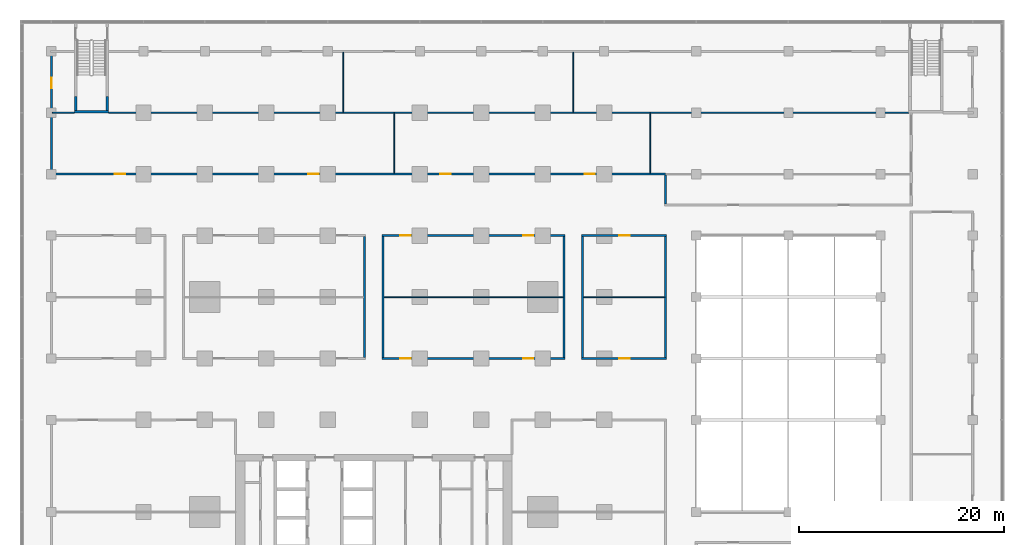
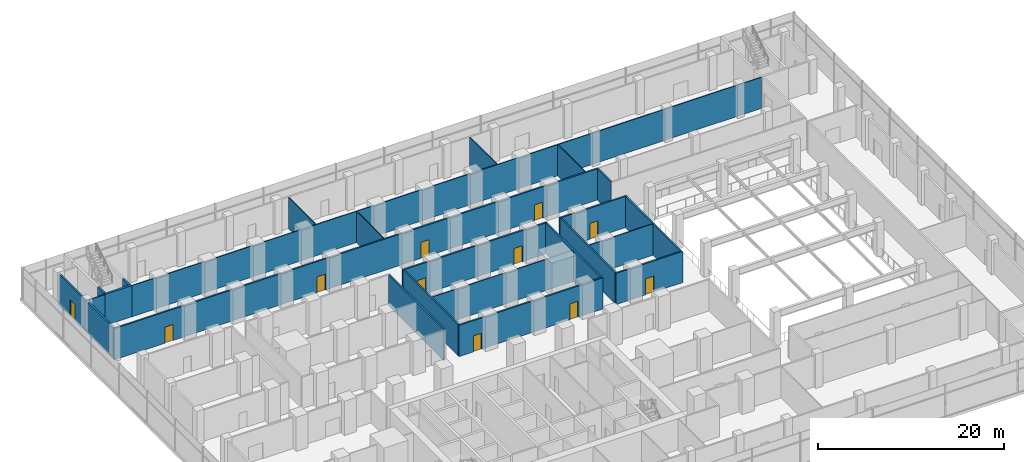
# One storey, part 16 of 22: 23 walls, 11 doors, 11 openings.
"""IFC4 building model written with IfcOpenShell, lengths in metres."""

from ifc_helpers import new_model, si_unit, direction, frame, frame_2d, origin, place, context, subcontext, project, spatial, rectangle, extrude, material, layer, layer_set, type_object, element, fill, save


model = new_model("IFC4")

# Units and contexts
model_context = context("Model", 3, precision=1e-05, world=origin(), true_north=direction((0.0, 1.0)))
body_context = subcontext(model_context, "Body", "Model", "MODEL_VIEW")
ifc_project = project(units=[si_unit("LENGTHUNIT", "METRE"), si_unit("AREAUNIT", "SQUARE_METRE"), si_unit("VOLUMEUNIT", "CUBIC_METRE"), si_unit("PLANEANGLEUNIT", "RADIAN"), si_unit("MASSUNIT", "GRAM", prefix="KILO")], contexts=[model_context])

# Site, building, storey
site_placement = place(None, origin())
site = spatial("IfcSite", under=ifc_project, at=site_placement, CompositionType="ELEMENT")
building_placement = place(site_placement, origin())
building = spatial("IfcBuilding", under=site, at=building_placement, Name="Finial Court Residences", CompositionType="ELEMENT")
storey_placement = place(building_placement, frame((0.0, 0.0, 28.0)))
storey = spatial("IfcBuildingStorey", under=building, at=storey_placement, Name="L05", CompositionType="ELEMENT", Elevation=28.0)

# Wall, openings, doors
ifc_material_1 = material(Name="Gypsum board")
ifc_layer_1 = layer(ifc_material_1, 0.02490234375)
ifc_material_2 = material(Name="Acoustic mineral wool in double frame")
ifc_layer_2 = layer(ifc_material_2, 0.14990234375)
ifc_layer_3 = layer(ifc_material_1, 0.02490234375)
ifc_layer_set_1 = layer_set([ifc_layer_1, ifc_layer_2, ifc_layer_3], Name="Corridor wall 200, 1 hour")
wall_type_1 = type_object("IfcWallType", Name="Corridor wall 200, 1 hour", PredefinedType="PARTITIONING", material=ifc_layer_set_1)
wall_1_placement = place(storey_placement, frame((0.800048828125, 1.5, 0.0), z_axis=(0.0, 0.0, 1.0), x_axis=(1.0, 0.0, 0.0)))
wall_1 = element("IfcWall", 1, at=wall_1_placement, inside=storey, type_object=wall_type_1, Name="Partition L05-019", PredefinedType="PARTITIONING", context=body_context, shape_type="SweptSolid", body=[
    extrude(rectangle(XDim=17.89990234375, YDim=0.199951171875, at=frame_2d((8.949951171875, 0.0))), origin(), (0.0, 0.0, 1.0), 4.10009765625),
])
opening_1_placement = place(wall_1_placement, frame((1.800048828125, 0.0, 0.0)))
opening_1 = element("IfcOpeningElement", 2, at=opening_1_placement, cuts=wall_1, Name="Opening L05-D019", PredefinedType="OPENING", context=body_context, shape_type="SweptSolid", body=[
    extrude(rectangle(XDim=1.0, YDim=2.10009765625, at=frame_2d((0.5, 1.050048828125))), frame((0.0, 0.10986328125, 0.0), z_axis=(0.0, -1.0, 0.0), x_axis=(1.0, 0.0, 0.0)), (0.0, 0.0, 1.0), 0.219970703125),
])
opening_2_placement = place(wall_1_placement, frame((13.800048828125, 0.0, 0.0)))
opening_2 = element("IfcOpeningElement", 3, at=opening_2_placement, cuts=wall_1, Name="Opening L05-D020", PredefinedType="OPENING", context=body_context, shape_type="SweptSolid", body=[
    extrude(rectangle(XDim=1.0, YDim=2.10009765625, at=frame_2d((0.5, 1.050048828125))), frame((0.0, 0.10986328125, 0.0), z_axis=(0.0, -1.0, 0.0), x_axis=(1.0, 0.0, 0.0)), (0.0, 0.0, 1.0), 0.219970703125),
])
ifc_material_3 = material(Name="Timber door leaf in hollow metal frame", Category="wood")
door_type = type_object("IfcDoorType", Name="Fire door set 1000 x 2100, 30 minutes", OperationType="SINGLE_SWING_LEFT", PredefinedType="DOOR", material=ifc_material_3)
door_1_placement = place(opening_1_placement, origin())
door_1 = element("IfcDoor", 4, at=door_1_placement, inside=storey, type_object=door_type, Name="Door L05-D019", OperationType="SINGLE_SWING_RIGHT", OverallHeight=2.10009765625, OverallWidth=1.0, PredefinedType="DOOR", context=body_context, shape_type="SweptSolid", body=[
    extrude(rectangle(XDim=1.0, YDim=2.10009765625, at=frame_2d((0.5, 1.050048828125))), frame((0.0, 0.02490234375, 0.0), z_axis=(0.0, -1.0, 0.0), x_axis=(1.0, 0.0, 0.0)), (0.0, 0.0, 1.0), 0.050048828125),
])
fill(opening_1, door_1)
door_2_placement = place(opening_2_placement, origin())
door_2 = element("IfcDoor", 5, at=door_2_placement, inside=storey, type_object=door_type, Name="Door L05-D020", OperationType="SINGLE_SWING_LEFT", OverallHeight=2.10009765625, OverallWidth=1.0, PredefinedType="DOOR", context=body_context, shape_type="SweptSolid", body=[
    extrude(rectangle(XDim=1.0, YDim=2.10009765625, at=frame_2d((0.5, 1.050048828125))), frame((0.0, 0.02490234375, 0.0), z_axis=(0.0, -1.0, 0.0), x_axis=(1.0, 0.0, 0.0)), (0.0, 0.0, 1.0), 0.050048828125),
])
fill(opening_2, door_2)

# Wall, opening, door
wall_2_placement = place(storey_placement, frame((20.300048828125, 1.5, 0.0), z_axis=(0.0, 0.0, 1.0), x_axis=(1.0, 0.0, 0.0)))
wall_2 = element("IfcWall", 6, at=wall_2_placement, inside=storey, type_object=wall_type_1, Name="Partition L05-020", PredefinedType="PARTITIONING", context=body_context, shape_type="SweptSolid", body=[
    extrude(rectangle(XDim=8.300048828125, YDim=0.199951171875, at=frame_2d((4.14990234375, 0.0))), origin(), (0.0, 0.0, 1.0), 4.10009765625),
])
opening_3_placement = place(wall_2_placement, frame((3.699951171875, 0.0, 0.0)))
opening_3 = element("IfcOpeningElement", 7, at=opening_3_placement, cuts=wall_2, Name="Opening L05-D021", PredefinedType="OPENING", context=body_context, shape_type="SweptSolid", body=[
    extrude(rectangle(XDim=1.0, YDim=2.10009765625, at=frame_2d((0.5, 1.050048828125))), frame((0.0, 0.10986328125, 0.0), z_axis=(0.0, -1.0, 0.0), x_axis=(1.0, 0.0, 0.0)), (0.0, 0.0, 1.0), 0.219970703125),
])
door_3_placement = place(opening_3_placement, origin())
door_3 = element("IfcDoor", 8, at=door_3_placement, inside=storey, type_object=door_type, Name="Door L05-D021", OperationType="SINGLE_SWING_RIGHT", OverallHeight=2.10009765625, OverallWidth=1.0, PredefinedType="DOOR", context=body_context, shape_type="SweptSolid", body=[
    extrude(rectangle(XDim=1.0, YDim=2.10009765625, at=frame_2d((0.5, 1.050048828125))), frame((0.0, 0.02490234375, 0.0), z_axis=(0.0, -1.0, 0.0), x_axis=(1.0, 0.0, 0.0)), (0.0, 0.0, 1.0), 0.050048828125),
])
fill(opening_3, door_3)

# Wall, openings, doors
wall_3_placement = place(storey_placement, frame((0.800048828125, 13.5, 0.0), z_axis=(0.0, 0.0, 1.0), x_axis=(1.0, 0.0, 0.0)))
wall_3 = element("IfcWall", 9, at=wall_3_placement, inside=storey, type_object=wall_type_1, Name="Partition L05-027", PredefinedType="PARTITIONING", context=body_context, shape_type="SweptSolid", body=[
    extrude(rectangle(XDim=17.89990234375, YDim=0.199951171875, at=frame_2d((8.949951171875, 0.0))), origin(), (0.0, 0.0, 1.0), 4.10009765625),
])
opening_4_placement = place(wall_3_placement, frame((1.800048828125, 0.0, 0.0)))
opening_4 = element("IfcOpeningElement", 10, at=opening_4_placement, cuts=wall_3, Name="Opening L05-D025", PredefinedType="OPENING", context=body_context, shape_type="SweptSolid", body=[
    extrude(rectangle(XDim=1.0, YDim=2.10009765625, at=frame_2d((0.5, 1.050048828125))), frame((0.0, 0.10986328125, 0.0), z_axis=(0.0, -1.0, 0.0), x_axis=(1.0, 0.0, 0.0)), (0.0, 0.0, 1.0), 0.219970703125),
])
opening_5_placement = place(wall_3_placement, frame((13.800048828125, 0.0, 0.0)))
opening_5 = element("IfcOpeningElement", 11, at=opening_5_placement, cuts=wall_3, Name="Opening L05-D026", PredefinedType="OPENING", context=body_context, shape_type="SweptSolid", body=[
    extrude(rectangle(XDim=1.0, YDim=2.10009765625, at=frame_2d((0.5, 1.050048828125))), frame((0.0, 0.10986328125, 0.0), z_axis=(0.0, -1.0, 0.0), x_axis=(1.0, 0.0, 0.0)), (0.0, 0.0, 1.0), 0.219970703125),
])
door_4_placement = place(opening_4_placement, origin())
door_4 = element("IfcDoor", 12, at=door_4_placement, inside=storey, type_object=door_type, Name="Door L05-D025", OperationType="SINGLE_SWING_LEFT", OverallHeight=2.10009765625, OverallWidth=1.0, PredefinedType="DOOR", context=body_context, shape_type="SweptSolid", body=[
    extrude(rectangle(XDim=1.0, YDim=2.10009765625, at=frame_2d((0.5, 1.050048828125))), frame((0.0, 0.02490234375, 0.0), z_axis=(0.0, -1.0, 0.0), x_axis=(1.0, 0.0, 0.0)), (0.0, 0.0, 1.0), 0.050048828125),
])
fill(opening_4, door_4)
door_5_placement = place(opening_5_placement, origin())
door_5 = element("IfcDoor", 13, at=door_5_placement, inside=storey, type_object=door_type, Name="Door L05-D026", OperationType="SINGLE_SWING_RIGHT", OverallHeight=2.10009765625, OverallWidth=1.0, PredefinedType="DOOR", context=body_context, shape_type="SweptSolid", body=[
    extrude(rectangle(XDim=1.0, YDim=2.10009765625, at=frame_2d((0.5, 1.050048828125))), frame((0.0, 0.02490234375, 0.0), z_axis=(0.0, -1.0, 0.0), x_axis=(1.0, 0.0, 0.0)), (0.0, 0.0, 1.0), 0.050048828125),
])
fill(opening_5, door_5)

# Wall, opening, door
wall_4_placement = place(storey_placement, frame((20.300048828125, 13.5, 0.0), z_axis=(0.0, 0.0, 1.0), x_axis=(1.0, 0.0, 0.0)))
wall_4 = element("IfcWall", 14, at=wall_4_placement, inside=storey, type_object=wall_type_1, Name="Partition L05-028", PredefinedType="PARTITIONING", context=body_context, shape_type="SweptSolid", body=[
    extrude(rectangle(XDim=8.300048828125, YDim=0.199951171875, at=frame_2d((4.14990234375, 0.0))), origin(), (0.0, 0.0, 1.0), 4.10009765625),
])
opening_6_placement = place(wall_4_placement, frame((3.699951171875, 0.0, 0.0)))
opening_6 = element("IfcOpeningElement", 15, at=opening_6_placement, cuts=wall_4, Name="Opening L05-D027", PredefinedType="OPENING", context=body_context, shape_type="SweptSolid", body=[
    extrude(rectangle(XDim=1.0, YDim=2.10009765625, at=frame_2d((0.5, 1.050048828125))), frame((0.0, 0.10986328125, 0.0), z_axis=(0.0, -1.0, 0.0), x_axis=(1.0, 0.0, 0.0)), (0.0, 0.0, 1.0), 0.219970703125),
])
door_6_placement = place(opening_6_placement, origin())
door_6 = element("IfcDoor", 16, at=door_6_placement, inside=storey, type_object=door_type, Name="Door L05-D027", OperationType="SINGLE_SWING_LEFT", OverallHeight=2.10009765625, OverallWidth=1.0, PredefinedType="DOOR", context=body_context, shape_type="SweptSolid", body=[
    extrude(rectangle(XDim=1.0, YDim=2.10009765625, at=frame_2d((0.5, 1.050048828125))), frame((0.0, 0.02490234375, 0.0), z_axis=(0.0, -1.0, 0.0), x_axis=(1.0, 0.0, 0.0)), (0.0, 0.0, 1.0), 0.050048828125),
])
fill(opening_6, door_6)

# Wall, openings, doors
wall_5_placement = place(storey_placement, frame((-31.60009765625, 19.5, 0.0), z_axis=(0.0, 0.0, 1.0), x_axis=(1.0, 0.0, 0.0)))
wall_5 = element("IfcWall", 17, at=wall_5_placement, inside=storey, type_object=wall_type_1, Name="Partition L05-031", PredefinedType="PARTITIONING", context=body_context, shape_type="SweptSolid", body=[
    extrude(rectangle(XDim=60.10009765625, YDim=0.199951171875, at=frame_2d((30.050048828125, 0.0))), origin(), (0.0, 0.0, 1.0), 4.10009765625),
])
opening_7_placement = place(wall_5_placement, frame((6.300048828125, 0.0, 0.0)))
opening_7 = element("IfcOpeningElement", 18, at=opening_7_placement, cuts=wall_5, Name="Opening L05-D031", PredefinedType="OPENING", context=body_context, shape_type="SweptSolid", body=[
    extrude(rectangle(XDim=1.0, YDim=2.10009765625, at=frame_2d((0.5, 1.050048828125))), frame((0.0, 0.10986328125, 0.0), z_axis=(0.0, -1.0, 0.0), x_axis=(1.0, 0.0, 0.0)), (0.0, 0.0, 1.0), 0.219970703125),
])
opening_8_placement = place(wall_5_placement, frame((25.199951171875, 0.0, 0.0)))
opening_8 = element("IfcOpeningElement", 19, at=opening_8_placement, cuts=wall_5, Name="Opening L05-D032", PredefinedType="OPENING", context=body_context, shape_type="SweptSolid", body=[
    extrude(rectangle(XDim=1.0, YDim=2.10009765625, at=frame_2d((0.5, 1.050048828125))), frame((0.0, 0.10986328125, 0.0), z_axis=(0.0, -1.0, 0.0), x_axis=(1.0, 0.0, 0.0)), (0.0, 0.0, 1.0), 0.219970703125),
])
opening_9_placement = place(wall_5_placement, frame((38.10009765625, 0.0, 0.0)))
opening_9 = element("IfcOpeningElement", 20, at=opening_9_placement, cuts=wall_5, Name="Opening L05-D033", PredefinedType="OPENING", context=body_context, shape_type="SweptSolid", body=[
    extrude(rectangle(XDim=1.0, YDim=2.10009765625, at=frame_2d((0.5, 1.050048828125))), frame((0.0, 0.10986328125, 0.0), z_axis=(0.0, -1.0, 0.0), x_axis=(1.0, 0.0, 0.0)), (0.0, 0.0, 1.0), 0.219970703125),
])
opening_10_placement = place(wall_5_placement, frame((52.199951171875, 0.0, 0.0)))
opening_10 = element("IfcOpeningElement", 21, at=opening_10_placement, cuts=wall_5, Name="Opening L05-D034", PredefinedType="OPENING", context=body_context, shape_type="SweptSolid", body=[
    extrude(rectangle(XDim=1.0, YDim=2.10009765625, at=frame_2d((0.5, 1.050048828125))), frame((0.0, 0.10986328125, 0.0), z_axis=(0.0, -1.0, 0.0), x_axis=(1.0, 0.0, 0.0)), (0.0, 0.0, 1.0), 0.219970703125),
])
door_7_placement = place(opening_7_placement, origin())
door_7 = element("IfcDoor", 22, at=door_7_placement, inside=storey, type_object=door_type, Name="Door L05-D031", OperationType="SINGLE_SWING_RIGHT", OverallHeight=2.10009765625, OverallWidth=1.0, PredefinedType="DOOR", context=body_context, shape_type="SweptSolid", body=[
    extrude(rectangle(XDim=1.0, YDim=2.10009765625, at=frame_2d((0.5, 1.050048828125))), frame((0.0, 0.02490234375, 0.0), z_axis=(0.0, -1.0, 0.0), x_axis=(1.0, 0.0, 0.0)), (0.0, 0.0, 1.0), 0.050048828125),
])
fill(opening_7, door_7)
door_8_placement = place(opening_8_placement, origin())
door_8 = element("IfcDoor", 23, at=door_8_placement, inside=storey, type_object=door_type, Name="Door L05-D032", OperationType="SINGLE_SWING_RIGHT", OverallHeight=2.10009765625, OverallWidth=1.0, PredefinedType="DOOR", context=body_context, shape_type="SweptSolid", body=[
    extrude(rectangle(XDim=1.0, YDim=2.10009765625, at=frame_2d((0.5, 1.050048828125))), frame((0.0, 0.02490234375, 0.0), z_axis=(0.0, -1.0, 0.0), x_axis=(1.0, 0.0, 0.0)), (0.0, 0.0, 1.0), 0.050048828125),
])
fill(opening_8, door_8)
door_9_placement = place(opening_9_placement, origin())
door_9 = element("IfcDoor", 24, at=door_9_placement, inside=storey, type_object=door_type, Name="Door L05-D033", OperationType="SINGLE_SWING_LEFT", OverallHeight=2.10009765625, OverallWidth=1.0, PredefinedType="DOOR", context=body_context, shape_type="SweptSolid", body=[
    extrude(rectangle(XDim=1.0, YDim=2.10009765625, at=frame_2d((0.5, 1.050048828125))), frame((0.0, 0.02490234375, 0.0), z_axis=(0.0, -1.0, 0.0), x_axis=(1.0, 0.0, 0.0)), (0.0, 0.0, 1.0), 0.050048828125),
])
fill(opening_9, door_9)
door_10_placement = place(opening_10_placement, origin())
door_10 = element("IfcDoor", 25, at=door_10_placement, inside=storey, type_object=door_type, Name="Door L05-D034", OperationType="SINGLE_SWING_LEFT", OverallHeight=2.10009765625, OverallWidth=1.0, PredefinedType="DOOR", context=body_context, shape_type="SweptSolid", body=[
    extrude(rectangle(XDim=1.0, YDim=2.10009765625, at=frame_2d((0.5, 1.050048828125))), frame((0.0, 0.02490234375, 0.0), z_axis=(0.0, -1.0, 0.0), x_axis=(1.0, 0.0, 0.0)), (0.0, 0.0, 1.0), 0.050048828125),
])
fill(opening_10, door_10)

# Wall, opening, door
wall_6_placement = place(storey_placement, frame((-31.5, 19.60009765625, 0.0), z_axis=(0.0, 0.0, 1.0), x_axis=(0.0, 1.0, 0.0)))
wall_6 = element("IfcWall", 26, at=wall_6_placement, inside=storey, type_object=wall_type_1, Name="Partition L05-042", PredefinedType="PARTITIONING", context=body_context, shape_type="SweptSolid", body=[
    extrude(rectangle(XDim=11.7998046875, YDim=0.199951171875, at=frame_2d((5.89990234375, 0.0))), origin(), (0.0, 0.0, 1.0), 4.10009765625),
])
opening_11_placement = place(wall_6_placement, frame((8.300048828125, 0.0, 0.0)))
opening_11 = element("IfcOpeningElement", 27, at=opening_11_placement, cuts=wall_6, Name="Opening L05-D041", PredefinedType="OPENING", context=body_context, shape_type="SweptSolid", body=[
    extrude(rectangle(XDim=1.0, YDim=2.10009765625, at=frame_2d((0.5, 1.050048828125))), frame((0.0, 0.10986328125, 0.0), z_axis=(0.0, -1.0, 0.0), x_axis=(1.0, 0.0, 0.0)), (0.0, 0.0, 1.0), 0.219970703125),
])
door_11_placement = place(opening_11_placement, origin())
door_11 = element("IfcDoor", 28, at=door_11_placement, inside=storey, type_object=door_type, Name="Door L05-D041", OperationType="SINGLE_SWING_RIGHT", OverallHeight=2.10009765625, OverallWidth=1.0, PredefinedType="DOOR", context=body_context, shape_type="SweptSolid", body=[
    extrude(rectangle(XDim=1.0, YDim=2.10009765625, at=frame_2d((0.5, 1.050048828125))), frame((0.0, 0.02490234375, 0.0), z_axis=(0.0, -1.0, 0.0), x_axis=(1.0, 0.0, 0.0)), (0.0, 0.0, 1.0), 0.050048828125),
])
fill(opening_11, door_11)

# Walls
for number, where, z_axis, x_axis, name in (
    (29, (-0.89990234375, 1.60009765625, 0.0), (0.0, 0.0, 1.0), (0.0, 1.0, 0.0), "Partition L05-048"),
    (30, (0.89990234375, 1.60009765625, 0.0), (0.0, 0.0, 1.0), (0.0, 1.0, 0.0), "Partition L05-049"),
    (31, (18.60009765625, 1.60009765625, 0.0), (0.0, 0.0, 1.0), (0.0, 1.0, 0.0), "Partition L05-056"),
    (32, (20.39990234375, 1.60009765625, 0.0), (0.0, 0.0, 1.0), (0.0, 1.0, 0.0), "Partition L05-058"),
    (33, (28.5, 1.60009765625, 0.0), (0.0, 0.0, 1.0), (0.0, 1.0, 0.0), "Partition L05-062"),
):
    element("IfcWall", number, at=place(storey_placement, frame(where, z_axis=z_axis, x_axis=x_axis)), inside=storey, type_object=wall_type_1, Name=name, PredefinedType="PARTITIONING", context=body_context, shape_type="SweptSolid", body=[
        extrude(rectangle(XDim=11.7998046875, YDim=0.199951171875, at=frame_2d((5.89990234375, 0.0))), origin(), (0.0, 0.0, 1.0), 4.10009765625),
    ])
wall_7_placement = place(storey_placement, frame((28.5, 16.60009765625, 0.0), z_axis=(0.0, 0.0, 1.0), x_axis=(0.0, 1.0, 0.0)))
element("IfcWall", 34, at=wall_7_placement, inside=storey, type_object=wall_type_1, Name="Partition L05-063", PredefinedType="PARTITIONING", context=body_context, shape_type="SweptSolid", body=[
    extrude(rectangle(XDim=2.7998046875, YDim=0.199951171875, at=frame_2d((1.39990234375, 0.0))), origin(), (0.0, 0.0, 1.0), 4.10009765625),
])
ifc_layer_4 = layer(ifc_material_1, 0.012451171875)
ifc_material_4 = material(Name="Mineral wool in light-gauge frame")
ifc_layer_5 = layer(ifc_material_4, 0.074951171875)
ifc_layer_6 = layer(ifc_material_1, 0.012451171875)
ifc_layer_set_2 = layer_set([ifc_layer_4, ifc_layer_5, ifc_layer_6], Name="Gypsum board partition 100")
wall_type_2 = type_object("IfcWallType", Name="Gypsum board partition 100", PredefinedType="PARTITIONING", material=ifc_layer_set_2)
wall_8_placement = place(storey_placement, frame((1.0, 7.5, 0.0), z_axis=(0.0, 0.0, 1.0), x_axis=(1.0, 0.0, 0.0)))
element("IfcWall", 35, at=wall_8_placement, inside=storey, type_object=wall_type_2, Name="Partition L05-023", PredefinedType="PARTITIONING", context=body_context, shape_type="SweptSolid", body=[
    extrude(rectangle(XDim=17.5, YDim=0.10009765625, at=frame_2d((8.75, 0.0))), origin(), (0.0, 0.0, 1.0), 4.10009765625),
])
wall_9_placement = place(storey_placement, frame((20.5, 7.5, 0.0), z_axis=(0.0, 0.0, 1.0), x_axis=(1.0, 0.0, 0.0)))
element("IfcWall", 36, at=wall_9_placement, inside=storey, type_object=wall_type_2, Name="Partition L05-024", PredefinedType="PARTITIONING", context=body_context, shape_type="SweptSolid", body=[
    extrude(rectangle(XDim=7.89990234375, YDim=0.10009765625, at=frame_2d((3.949951171875, 0.0))), origin(), (0.0, 0.0, 1.0), 4.10009765625),
])
wall_10_placement = place(storey_placement, frame((-31.39990234375, 25.5, 0.0), z_axis=(0.0, 0.0, 1.0), x_axis=(1.0, 0.0, 0.0)))
element("IfcWall", 37, at=wall_10_placement, inside=storey, type_object=wall_type_2, Name="Partition L05-034", PredefinedType="PARTITIONING", context=body_context, shape_type="SweptSolid", body=[
    extrude(rectangle(XDim=2.14990234375, YDim=0.10009765625, at=frame_2d((1.074951171875, 0.0))), origin(), (0.0, 0.0, 1.0), 4.10009765625),
])
wall_11_placement = place(storey_placement, frame((-25.89990234375, 25.5, 0.0), z_axis=(0.0, 0.0, 1.0), x_axis=(1.0, 0.0, 0.0)))
element("IfcWall", 38, at=wall_11_placement, inside=storey, type_object=wall_type_2, Name="Partition L05-035", PredefinedType="PARTITIONING", context=body_context, shape_type="SweptSolid", body=[
    extrude(rectangle(XDim=78.14990234375, YDim=0.10009765625, at=frame_2d((39.074951171875, 0.0))), origin(), (0.0, 0.0, 1.0), 4.10009765625),
])
for number, where, z_axis, x_axis, name in (
    (39, (-3.0, 25.550048828125, 0.0), (0.0, 0.0, 1.0), (0.0, 1.0, 0.0), "Partition L05-047"),
    (40, (2.0, 19.60009765625, 0.0), (0.0, 0.0, 1.0), (0.0, 1.0, 0.0), "Partition L05-051"),
    (41, (19.5, 25.550048828125, 0.0), (0.0, 0.0, 1.0), (0.0, 1.0, 0.0), "Partition L05-057"),
    (42, (27.0, 19.60009765625, 0.0), (0.0, 0.0, 1.0), (0.0, 1.0, 0.0), "Partition L05-060"),
):
    element("IfcWall", number, at=place(storey_placement, frame(where, z_axis=z_axis, x_axis=x_axis)), inside=storey, type_object=wall_type_2, Name=name, PredefinedType="PARTITIONING", context=body_context, shape_type="SweptSolid", body=[
        extrude(rectangle(XDim=5.849853515625, YDim=0.10009765625, at=frame_2d((2.9248046875, 0.0))), origin(), (0.0, 0.0, 1.0), 4.10009765625),
    ])
ifc_material_5 = material(Name="Concrete C50/60", Category="concrete")
ifc_layer_7 = layer(ifc_material_5, 0.25)
ifc_layer_set_3 = layer_set([ifc_layer_7], Name="Stair enclosure wall 250 Concrete C50/60")
wall_type_3 = type_object("IfcWallType", Name="Stair enclosure wall 250 Concrete C50/60", PredefinedType="SHEAR", material=ifc_layer_set_3)
for number, where, z_axis, x_axis, name in (
    (43, (-29.125, 25.719970703125, 0.0), (0.0, 0.0, 1.0), (0.0, 1.0, 0.0), "Exit Stair 6 enclosure wall L05-W3"),
    (44, (-26.02490234375, 25.719970703125, 0.0), (0.0, 0.0, 1.0), (0.0, 1.0, 0.0), "Exit Stair 6 enclosure wall L05-E3"),
):
    element("IfcWall", number, at=place(storey_placement, frame(where, z_axis=z_axis, x_axis=x_axis)), inside=storey, type_object=wall_type_3, Name=name, PredefinedType="SHEAR", context=body_context, shape_type="SweptSolid", body=[
        extrude(rectangle(XDim=1.35009765625, YDim=0.25, at=frame_2d((0.675048828125, 0.0))), origin(), (0.0, 0.0, 1.0), 4.10009765625),
    ])
wall_12_placement = place(storey_placement, frame((-29.25, 25.594970703125, 0.0), z_axis=(0.0, 0.0, 1.0), x_axis=(1.0, 0.0, 0.0)))
element("IfcWall", 45, at=wall_12_placement, inside=storey, type_object=wall_type_3, Name="Exit Stair 6 enclosure wall L05-N", PredefinedType="SHEAR", context=body_context, shape_type="SweptSolid", body=[
    extrude(rectangle(XDim=3.35009765625, YDim=0.25, at=frame_2d((1.675048828125, 0.0))), origin(), (0.0, 0.0, 1.0), 4.10009765625),
])

save(model, "model.ifc")
